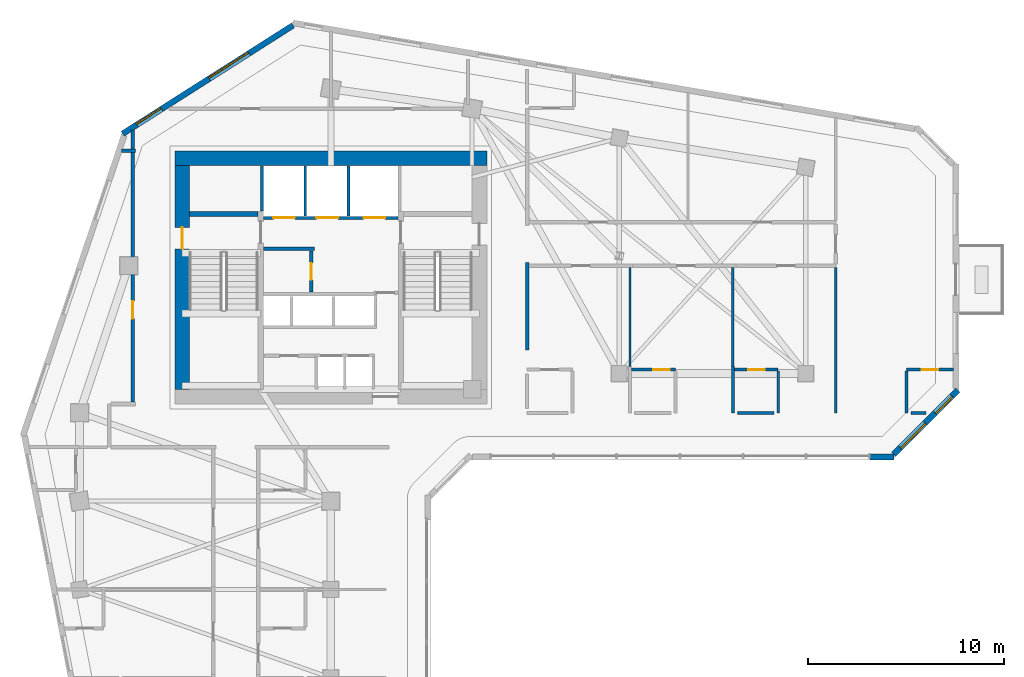
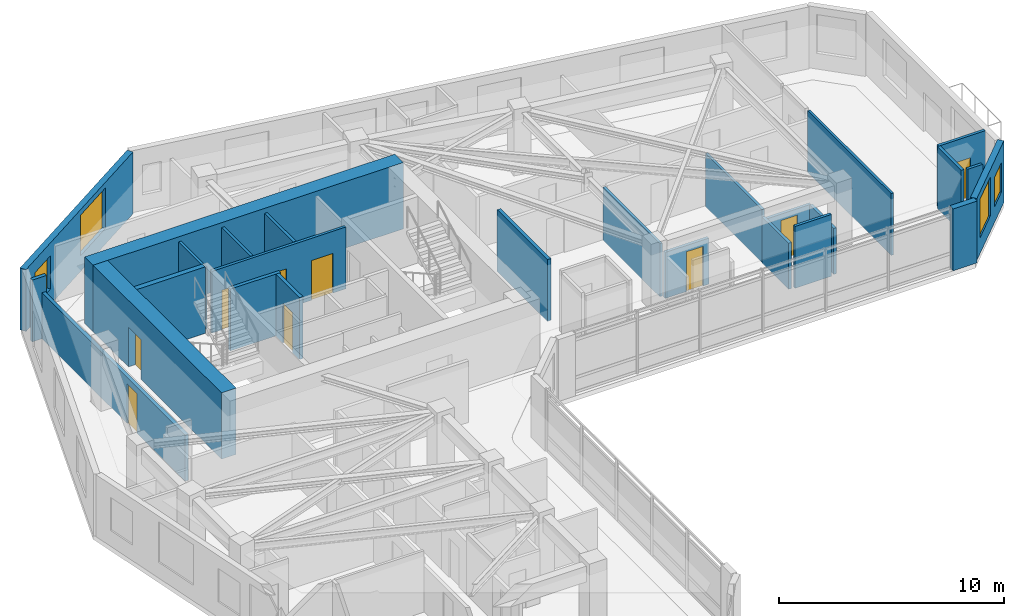
# One storey, part 7 of 14: 26 walls, 9 doors, 4 windows, 13 openings.
"""IFC4 building model written with IfcOpenShell, lengths in metres."""

from ifc_helpers import new_model, si_unit, direction, frame, frame_2d, origin, place, context, subcontext, project, spatial, rectangle, extrude, source, transform, mapped, material, layer, layer_set, type_object, element, fill, save


model = new_model("IFC4")

# Units and contexts
model_context = context("Model", 3, precision=1e-05, world=origin(), true_north=direction((0.0, 1.0)))
body_context = subcontext(model_context, "Body", "Model", "MODEL_VIEW")
ifc_project = project(units=[si_unit("LENGTHUNIT", "METRE"), si_unit("AREAUNIT", "SQUARE_METRE"), si_unit("VOLUMEUNIT", "CUBIC_METRE"), si_unit("PLANEANGLEUNIT", "RADIAN"), si_unit("MASSUNIT", "GRAM", prefix="KILO")], contexts=[model_context])

# Site, building, storey
site_placement = place(None, origin())
site = spatial("IfcSite", under=ifc_project, at=site_placement, CompositionType="ELEMENT")
building_placement = place(site_placement, origin())
building = spatial("IfcBuilding", under=site, at=building_placement, Name="Calvemar Wedge Station Tower", CompositionType="ELEMENT")
storey_placement = place(building_placement, frame((0.0, 0.0, 128.60009765625)))
storey = spatial("IfcBuildingStorey", under=building, at=storey_placement, Name="L31", CompositionType="ELEMENT", Elevation=128.60009765625)

# Walls
ifc_material_1 = material(Name="Concrete C50", Category="concrete")
ifc_layer_1 = layer(ifc_material_1, 0.260009765625)
ifc_layer_set_1 = layer_set([ifc_layer_1], Name="Concrete C50")
wall_type_1 = type_object("IfcWallType", Name="SW-CORE-260", PredefinedType="SHEAR", material=ifc_layer_set_1)
wall_1_placement = place(storey_placement, frame((16.60009765625, 43.1298828125, 0.0), z_axis=(0.0, 0.0, 1.0), x_axis=(1.0, 0.0, 0.0)))
element("IfcWall", 1, at=wall_1_placement, inside=storey, type_object=wall_type_1, Name="Storey L31 Core Shear Wall STC1-N", PredefinedType="SHEAR", context=body_context, shape_type="SweptSolid", body=[
    extrude(rectangle(XDim=3.5, YDim=0.260009765625, at=frame_2d((1.75, 0.0))), origin(), (0.0, 0.0, 1.0), 3.599853515625),
])
ifc_material_2 = material(Name="Concrete C70", Category="concrete")
ifc_layer_2 = layer(ifc_material_2, 0.75)
ifc_layer_set_2 = layer_set([ifc_layer_2], Name="Concrete C70")
wall_type_2 = type_object("IfcWallType", Name="SW-CORE-750", PredefinedType="SHEAR", material=ifc_layer_set_2)
wall_2_placement = place(storey_placement, frame((15.85009765625, 45.97509765625, 0.0), z_axis=(0.0, 0.0, 1.0), x_axis=(1.0, 0.0, 0.0)))
element("IfcWall", 2, at=wall_2_placement, inside=storey, type_object=wall_type_2, Name="Storey L31 Core Shear Wall N", PredefinedType="SHEAR", context=body_context, shape_type="SweptSolid", body=[
    extrude(rectangle(XDim=15.89990234375, YDim=0.75, at=frame_2d((7.949951171875, 0.0))), origin(), (0.0, 0.0, 1.0), 3.599853515625),
])

# Wall, opening, door
wall_3_placement = place(storey_placement, frame((16.22509765625, 34.199951171875, 0.0), z_axis=(0.0, 0.0, 1.0), x_axis=(0.0, 1.0, 0.0)))
wall_3 = element("IfcWall", 3, at=wall_3_placement, inside=storey, type_object=wall_type_2, Name="Storey L31 Core Shear Wall W", PredefinedType="SHEAR", context=body_context, shape_type="SweptSolid", body=[
    extrude(rectangle(XDim=11.400146484375, YDim=0.75, at=frame_2d((5.7001953125, 0.0))), origin(), (0.0, 0.0, 1.0), 3.599853515625),
])
shared_shape_1 = source(origin(), body_context, "Body", "SweptSolid", [
    extrude(rectangle(XDim=1.10009765625, YDim=2.14990234375, at=frame_2d((0.550048828125, 1.074951171875))), frame((0.0, 0.385009765625, 0.0), z_axis=(0.0, -1.0, 0.0), x_axis=(1.0, 0.0, 0.0)), (0.0, 0.0, 1.0), 0.77001953125),
])
opening_1_placement = place(wall_3_placement, frame((7.14990234375, 0.0, 0.0)))
opening_1 = element("IfcOpeningElement", 4, at=opening_1_placement, cuts=wall_3, Name="Opening FD-90", PredefinedType="OPENING", context=body_context, shape_type="MappedRepresentation", body=[
    mapped(shared_shape_1, transform((0.0, 0.0, 0.0), scale=1.0)),
])
ifc_material_3 = material(Name="Galvanized fire-rated steel door leaf P-90", Category="steel")
door_type_1 = type_object("IfcDoorType", Name="DR-FD90-1100", OperationType="NOTDEFINED", PredefinedType="DOOR", material=ifc_material_3)
shared_shape_2 = source(origin(), body_context, "Body", "SweptSolid", [
    extrude(rectangle(XDim=1.10009765625, YDim=2.14990234375, at=frame_2d((0.550048828125, 1.074951171875))), frame((0.0, 0.02490234375, 0.0), z_axis=(0.0, -1.0, 0.0), x_axis=(1.0, 0.0, 0.0)), (0.0, 0.0, 1.0), 0.050048828125),
])
door_1_placement = place(opening_1_placement, origin())
door_1 = element("IfcDoor", 5, at=door_1_placement, inside=storey, type_object=door_type_1, Name="L31 West Corridor to Exit Stair ST-C1 Door", OperationType="SINGLE_SWING_RIGHT", OverallHeight=2.14990234375, OverallWidth=1.10009765625, PredefinedType="DOOR", context=body_context, shape_type="MappedRepresentation", body=[
    mapped(shared_shape_2, transform((0.0, 0.0, 0.0), scale=1.0)),
])
fill(opening_1, door_1)

# Wall
ifc_material_4 = material(Name="Double-stud fire-rated corridor partition")
ifc_layer_3 = layer(ifc_material_4, 0.179931640625)
ifc_layer_set_3 = layer_set([ifc_layer_3], Name="Double-stud fire-rated corridor partition")
wall_type_3 = type_object("IfcWallType", Name="W-CORR-180", PredefinedType="PARTITIONING", material=ifc_layer_set_3)
wall_4_placement = place(storey_placement, frame((22.9599609375, 41.35009765625, 0.0), z_axis=(0.0, 0.0, 1.0), x_axis=(-1.0, 0.0, 0.0)))
element("IfcWall", 6, at=wall_4_placement, inside=storey, type_object=wall_type_3, Name="Storey L31 Interior Partition WL-L31-001", PredefinedType="PARTITIONING", context=body_context, shape_type="SweptSolid", body=[
    extrude(rectangle(XDim=2.580078125, YDim=0.179931640625, at=frame_2d((1.2900390625, 0.0))), origin(), (0.0, 0.0, 1.0), 3.349853515625),
])

# Wall, opening, door
wall_5_placement = place(storey_placement, frame((22.800048828125, 41.256103515625, 0.0), z_axis=(0.0, 0.0, 1.0), x_axis=(0.0, -1.0, 0.0)))
wall_5 = element("IfcWall", 7, at=wall_5_placement, inside=storey, type_object=wall_type_3, Name="Storey L31 Interior Partition WL-L31-002", PredefinedType="PARTITIONING", context=body_context, shape_type="SweptSolid", body=[
    extrude(rectangle(XDim=2.106201171875, YDim=0.179931640625, at=frame_2d((1.05322265625, 0.0))), origin(), (0.0, 0.0, 1.0), 3.349853515625),
])
shared_shape_3 = source(origin(), body_context, "Body", "SweptSolid", [
    extrude(rectangle(XDim=0.85009765625, YDim=2.14990234375, at=frame_2d((0.425048828125, 1.074951171875))), frame((0.0, 0.10009765625, 0.0), z_axis=(0.0, -1.0, 0.0), x_axis=(1.0, 0.0, 0.0)), (0.0, 0.0, 1.0), 0.199951171875),
])
opening_2_placement = place(wall_5_placement, frame((0.6279296875, 0.0, 0.0)))
opening_2 = element("IfcOpeningElement", 8, at=opening_2_placement, cuts=wall_5, Name="Opening FD-60S", PredefinedType="OPENING", context=body_context, shape_type="MappedRepresentation", body=[
    mapped(shared_shape_3, transform((0.0, 0.0, 0.0), scale=1.0)),
])
ifc_material_5 = material(Name="Fire-rated steel and hardwood service door EI 60", Category="steel")
door_type_2 = type_object("IfcDoorType", Name="DR-CORE-FD60-850", OperationType="NOTDEFINED", PredefinedType="DOOR", material=ifc_material_5)
shared_shape_4 = source(origin(), body_context, "Body", "SweptSolid", [
    extrude(rectangle(XDim=0.85009765625, YDim=2.14990234375, at=frame_2d((0.425048828125, 1.074951171875))), frame((0.0, 0.02490234375, 0.0), z_axis=(0.0, -1.0, 0.0), x_axis=(1.0, 0.0, 0.0)), (0.0, 0.0, 1.0), 0.050048828125),
])
door_2_placement = place(opening_2_placement, origin())
door_2 = element("IfcDoor", 9, at=door_2_placement, inside=storey, type_object=door_type_2, Name="L31 Core Electrical Switch Room Door", OperationType="SINGLE_SWING_RIGHT", OverallHeight=2.14990234375, OverallWidth=0.85009765625, PredefinedType="DOOR", context=body_context, shape_type="MappedRepresentation", body=[
    mapped(shared_shape_4, transform((0.0, 0.0, 0.0), scale=1.0)),
])
fill(opening_2, door_2)

wall_6_placement = place(storey_placement, frame((13.699951171875, 33.5439453125, 0.0), z_axis=(0.0, 0.0, 1.0), x_axis=(0.0, 1.0, 0.0)))
wall_6 = element("IfcWall", 10, at=wall_6_placement, inside=storey, type_object=wall_type_3, Name="Storey L31 Interior Partition WL-L31-010", PredefinedType="PARTITIONING", context=body_context, shape_type="SweptSolid", body=[
    extrude(rectangle(XDim=13.860107421875, YDim=0.179931640625, at=frame_2d((6.93017578125, 0.0))), origin(), (0.0, 0.0, 1.0), 2.491943359375),
])
shared_shape_5 = source(origin(), body_context, "Body", "SweptSolid", [
    extrude(rectangle(XDim=0.89990234375, YDim=2.14990234375, at=frame_2d((0.449951171875, 1.074951171875))), frame((0.0, 0.10009765625, 0.0), z_axis=(0.0, -1.0, 0.0), x_axis=(1.0, 0.0, 0.0)), (0.0, 0.0, 1.0), 0.199951171875),
])
opening_3_placement = place(wall_6_placement, frame((4.252685546875, 0.0, 0.0)))
opening_3 = element("IfcOpeningElement", 11, at=opening_3_placement, cuts=wall_6, Name="Opening D-01", PredefinedType="OPENING", context=body_context, shape_type="MappedRepresentation", body=[
    mapped(shared_shape_5, transform((0.0, 0.0, 0.0), scale=1.0)),
])
ifc_material_6 = material(Name="Architectural hardwood acoustic swing door", Category="wood")
door_type_3 = type_object("IfcDoorType", Name="DR-INT-900", OperationType="NOTDEFINED", PredefinedType="DOOR", material=ifc_material_6)
shared_shape_6 = source(origin(), body_context, "Body", "SweptSolid", [
    extrude(rectangle(XDim=0.89990234375, YDim=2.14990234375, at=frame_2d((0.449951171875, 1.074951171875))), frame((0.0, 0.02490234375, 0.0), z_axis=(0.0, -1.0, 0.0), x_axis=(1.0, 0.0, 0.0)), (0.0, 0.0, 1.0), 0.050048828125),
])
door_3_placement = place(opening_3_placement, origin())
door_3 = element("IfcDoor", 12, at=door_3_placement, inside=storey, type_object=door_type_3, Name="L31 Executive Lounge Door", OperationType="SINGLE_SWING_LEFT", OverallHeight=2.14990234375, OverallWidth=0.89990234375, PredefinedType="DOOR", context=body_context, shape_type="MappedRepresentation", body=[
    mapped(shared_shape_6, transform((0.0, 0.0, 0.0), scale=1.0)),
])
fill(opening_3, door_3)

# Walls
wall_7_placement = place(storey_placement, frame((13.860107421875, 46.35009765625, 0.0), z_axis=(0.0, 0.0, 1.0), x_axis=(-1.0, 0.0, 0.0)))
element("IfcWall", 13, at=wall_7_placement, inside=storey, type_object=wall_type_3, Name="Storey L31 Interior Partition WL-L31-011", PredefinedType="PARTITIONING", context=body_context, shape_type="SweptSolid", body=[
    extrude(rectangle(XDim=0.73486328125, YDim=0.179931640625, at=frame_2d((0.367431640625, 0.0))), origin(), (0.0, 0.0, 1.0), 3.349853515625),
])
wall_8_placement = place(storey_placement, frame((33.800048828125, 40.659912109375, 0.0), z_axis=(0.0, 0.0, 1.0), x_axis=(0.0, -1.0, 0.0)))
element("IfcWall", 14, at=wall_8_placement, inside=storey, type_object=wall_type_3, Name="Storey L31 Interior Partition WL-L31-015", PredefinedType="PARTITIONING", context=body_context, shape_type="SweptSolid", body=[
    extrude(rectangle(XDim=4.4599609375, YDim=0.179931640625, at=frame_2d((2.22998046875, 0.0))), origin(), (0.0, 0.0, 1.0), 3.349853515625),
])
ifc_material_7 = material(Name="Precast concrete C45", Category="concrete")
ifc_layer_4 = layer(ifc_material_7, 0.300048828125)
ifc_layer_set_4 = layer_set([ifc_layer_4], Name="Precast concrete C45")
wall_type_4 = type_object("IfcWallType", Name="W-EXT-GFRC-300", PredefinedType="SOLIDWALL", material=ifc_layer_set_4)
wall_9_placement = place(storey_placement, frame((51.260498046875, 30.741943359375, 0.0), z_axis=(0.0, 0.0, 1.0), x_axis=(1.0, 0.0, 0.0)))
element("IfcWall", 15, at=wall_9_placement, inside=storey, type_object=wall_type_4, Name="Storey L31 Bronze GFRC Corner Pier 6B", PredefinedType="SOLIDWALL", context=body_context, shape_type="SweptSolid", body=[
    extrude(rectangle(XDim=1.227294921875, YDim=0.300048828125, at=frame_2d((0.61376953125, 0.0))), origin(), (0.0, 0.0, 1.0), 3.349853515625),
])

# Wall, openings, windows
wall_10_placement = place(storey_placement, frame((52.475830078125, 30.8798828125, 0.0), z_axis=(0.0, 0.0, 1.0), x_axis=(0.707106781187, 0.707106781187, 0.0)))
wall_10 = element("IfcWall", 16, at=wall_10_placement, inside=storey, type_object=wall_type_4, Name="Storey L31 Bronze GFRC Exterior Wall 7", PredefinedType="SOLIDWALL", context=body_context, shape_type="SweptSolid", body=[
    extrude(rectangle(XDim=4.638916015625, YDim=0.300048828125, at=frame_2d((2.3193359375, 0.0))), origin(), (0.0, 0.0, 1.0), 3.349853515625),
])
shared_shape_7 = source(origin(), body_context, "Body", "SweptSolid", [
    extrude(rectangle(XDim=1.800048828125, YDim=2.10009765625, at=frame_2d((0.89990234375, 1.050048828125))), frame((0.0, 0.16015625, 0.0), z_axis=(0.0, -1.0, 0.0), x_axis=(1.0, 0.0, 0.0)), (0.0, 0.0, 1.0), 0.320068359375),
])
opening_4_placement = place(wall_10_placement, frame((0.48193359375, 0.0, 0.85009765625)))
opening_4 = element("IfcOpeningElement", 17, at=opening_4_placement, cuts=wall_10, Name="Opening W2", PredefinedType="OPENING", context=body_context, shape_type="MappedRepresentation", body=[
    mapped(shared_shape_7, transform((0.0, 0.0, 0.0), scale=1.0)),
])
shared_shape_8 = source(origin(), body_context, "Body", "SweptSolid", [
    extrude(rectangle(XDim=1.199951171875, YDim=1.60009765625, at=frame_2d((0.60009765625, 0.800048828125))), frame((0.0, 0.16015625, 0.0), z_axis=(0.0, -1.0, 0.0), x_axis=(1.0, 0.0, 0.0)), (0.0, 0.0, 1.0), 0.320068359375),
])
opening_5_placement = place(wall_10_placement, frame((3.0009765625, 0.0, 0.85009765625)))
opening_5 = element("IfcOpeningElement", 18, at=opening_5_placement, cuts=wall_10, Name="Opening W5", PredefinedType="OPENING", context=body_context, shape_type="MappedRepresentation", body=[
    mapped(shared_shape_8, transform((0.0, 0.0, 0.0), scale=1.0)),
])
ifc_material_8 = material(Name="Low-E laminated insulated glass", Category="glass")
window_type_1 = type_object("IfcWindowType", Name="WIN-EXT-2", PartitioningType="SINGLE_PANEL", PredefinedType="WINDOW", material=ifc_material_8)
shared_shape_9 = source(origin(), body_context, "Body", "SweptSolid", [
    extrude(rectangle(XDim=1.800048828125, YDim=2.10009765625, at=frame_2d((0.89990234375, 1.050048828125))), frame((0.0, -0.014892578125, 0.0), z_axis=(0.0, -1.0, 0.0), x_axis=(1.0, 0.0, 0.0)), (0.0, 0.0, 1.0), 0.06005859375),
])
window_1_placement = place(opening_4_placement, origin())
window_1 = element("IfcWindow", 19, at=window_1_placement, inside=storey, type_object=window_type_1, Name="Storey L31 Recessed Window 7.1", OverallHeight=2.10009765625, OverallWidth=1.800048828125, PartitioningType="SINGLE_PANEL", PredefinedType="WINDOW", context=body_context, shape_type="MappedRepresentation", body=[
    mapped(shared_shape_9, transform((0.0, 0.0, 0.0), scale=1.0)),
])
fill(opening_4, window_1)
window_type_2 = type_object("IfcWindowType", Name="WIN-EXT-5", PartitioningType="SINGLE_PANEL", PredefinedType="WINDOW", material=ifc_material_8)
shared_shape_10 = source(origin(), body_context, "Body", "SweptSolid", [
    extrude(rectangle(XDim=1.199951171875, YDim=1.60009765625, at=frame_2d((0.60009765625, 0.800048828125))), frame((0.0, -0.014892578125, 0.0), z_axis=(0.0, -1.0, 0.0), x_axis=(1.0, 0.0, 0.0)), (0.0, 0.0, 1.0), 0.06005859375),
])
window_2_placement = place(opening_5_placement, origin())
window_2 = element("IfcWindow", 20, at=window_2_placement, inside=storey, type_object=window_type_2, Name="Storey L31 Recessed Window 7.2", OverallHeight=1.60009765625, OverallWidth=1.199951171875, PartitioningType="SINGLE_PANEL", PredefinedType="WINDOW", context=body_context, shape_type="MappedRepresentation", body=[
    mapped(shared_shape_10, transform((0.0, 0.0, 0.0), scale=1.0)),
])
fill(opening_5, window_2)

wall_11_placement = place(storey_placement, frame((21.874755859375, 52.742431640625, 0.0), z_axis=(0.0, 0.0, 1.0), x_axis=(-0.843662465249, -0.536873956092, 0.0)))
wall_11 = element("IfcWall", 21, at=wall_11_placement, inside=storey, type_object=wall_type_4, Name="Storey L31 Bronze GFRC Exterior Wall 11", PredefinedType="SOLIDWALL", context=body_context, shape_type="SweptSolid", body=[
    extrude(rectangle(XDim=10.283935546875, YDim=0.300048828125, at=frame_2d((5.14208984375, 0.0))), origin(), (0.0, 0.0, 1.0), 3.349853515625),
])
shared_shape_11 = source(origin(), body_context, "Body", "SweptSolid", [
    extrude(rectangle(XDim=2.39990234375, YDim=2.199951171875, at=frame_2d((1.199951171875, 1.10009765625))), frame((0.0, 0.16015625, 0.0), z_axis=(0.0, -1.0, 0.0), x_axis=(1.0, 0.0, 0.0)), (0.0, 0.0, 1.0), 0.320068359375),
])
opening_6_placement = place(wall_11_placement, frame((2.656005859375, 0.0, 0.85009765625)))
opening_6 = element("IfcOpeningElement", 22, at=opening_6_placement, cuts=wall_11, Name="Opening W1", PredefinedType="OPENING", context=body_context, shape_type="MappedRepresentation", body=[
    mapped(shared_shape_11, transform((0.0, 0.0, 0.0), scale=1.0)),
])
shared_shape_12 = source(origin(), body_context, "Body", "SweptSolid", [
    extrude(rectangle(XDim=1.5, YDim=1.800048828125, at=frame_2d((0.75, 0.89990234375))), frame((0.0, 0.16015625, 0.0), z_axis=(0.0, -1.0, 0.0), x_axis=(1.0, 0.0, 0.0)), (0.0, 0.0, 1.0), 0.320068359375),
])
opening_7_placement = place(wall_11_placement, frame((7.93701171875, 0.0, 0.85009765625)))
opening_7 = element("IfcOpeningElement", 23, at=opening_7_placement, cuts=wall_11, Name="Opening W3", PredefinedType="OPENING", context=body_context, shape_type="MappedRepresentation", body=[
    mapped(shared_shape_12, transform((0.0, 0.0, 0.0), scale=1.0)),
])
window_type_3 = type_object("IfcWindowType", Name="WIN-EXT-1", PartitioningType="SINGLE_PANEL", PredefinedType="WINDOW", material=ifc_material_8)
shared_shape_13 = source(origin(), body_context, "Body", "SweptSolid", [
    extrude(rectangle(XDim=2.39990234375, YDim=2.199951171875, at=frame_2d((1.199951171875, 1.10009765625))), frame((0.0, -0.014892578125, 0.0), z_axis=(0.0, -1.0, 0.0), x_axis=(1.0, 0.0, 0.0)), (0.0, 0.0, 1.0), 0.06005859375),
])
window_3_placement = place(opening_6_placement, origin())
window_3 = element("IfcWindow", 24, at=window_3_placement, inside=storey, type_object=window_type_3, Name="Storey L31 Recessed Window 11.1", OverallHeight=2.199951171875, OverallWidth=2.39990234375, PartitioningType="SINGLE_PANEL", PredefinedType="WINDOW", context=body_context, shape_type="MappedRepresentation", body=[
    mapped(shared_shape_13, transform((0.0, 0.0, 0.0), scale=1.0)),
])
fill(opening_6, window_3)
window_type_4 = type_object("IfcWindowType", Name="WIN-EXT-3", PartitioningType="SINGLE_PANEL", PredefinedType="WINDOW", material=ifc_material_8)
shared_shape_14 = source(origin(), body_context, "Body", "SweptSolid", [
    extrude(rectangle(XDim=1.5, YDim=1.800048828125, at=frame_2d((0.75, 0.89990234375))), frame((0.0, -0.014892578125, 0.0), z_axis=(0.0, -1.0, 0.0), x_axis=(1.0, 0.0, 0.0)), (0.0, 0.0, 1.0), 0.06005859375),
])
window_4_placement = place(opening_7_placement, origin())
window_4 = element("IfcWindow", 25, at=window_4_placement, inside=storey, type_object=window_type_4, Name="Storey L31 Recessed Window 11.2", OverallHeight=1.800048828125, OverallWidth=1.5, PartitioningType="SINGLE_PANEL", PredefinedType="WINDOW", context=body_context, shape_type="MappedRepresentation", body=[
    mapped(shared_shape_14, transform((0.0, 0.0, 0.0), scale=1.0)),
])
fill(opening_7, window_4)

# Wall, openings, doors
ifc_material_9 = material(Name="Reinforced concrete blockwork lift shaft wall", Category="masonry")
ifc_layer_5 = layer(ifc_material_9, 0.139892578125)
ifc_layer_set_5 = layer_set([ifc_layer_5], Name="Reinforced concrete blockwork lift shaft wall")
wall_type_5 = type_object("IfcWallType", Name="W-LIFT-160", PredefinedType="SOLIDWALL", material=ifc_layer_set_5)
wall_12_placement = place(storey_placement, frame((20.3701171875, 42.929931640625, 0.0), z_axis=(0.0, 0.0, 1.0), x_axis=(1.0, 0.0, 0.0)))
wall_12 = element("IfcWall", 26, at=wall_12_placement, inside=storey, type_object=wall_type_5, Name="Storey L31 Firefighting and Service Lift Shaft Front Wall", PredefinedType="SOLIDWALL", context=body_context, shape_type="SweptSolid", body=[
    extrude(rectangle(XDim=6.85986328125, YDim=0.139892578125, at=frame_2d((3.429931640625, 0.0))), origin(), (0.0, 0.0, 1.0), 3.349853515625),
])
shared_shape_15 = source(origin(), body_context, "Body", "SweptSolid", [
    extrude(rectangle(XDim=1.10009765625, YDim=2.14990234375, at=frame_2d((0.550048828125, 1.074951171875))), frame((0.0, 0.080078125, 0.0), z_axis=(0.0, -1.0, 0.0), x_axis=(1.0, 0.0, 0.0)), (0.0, 0.0, 1.0), 0.159912109375),
])
opening_8_placement = place(wall_12_placement, frame((0.5, 0.0, 0.0)))
opening_8 = element("IfcOpeningElement", 27, at=opening_8_placement, cuts=wall_12, Name="Opening LD-FF", PredefinedType="OPENING", context=body_context, shape_type="MappedRepresentation", body=[
    mapped(shared_shape_15, transform((0.0, 0.0, 0.0), scale=1.0)),
])
opening_9_placement = place(wall_12_placement, frame((2.699951171875, 0.0, 0.0)))
opening_9 = element("IfcOpeningElement", 28, at=opening_9_placement, cuts=wall_12, Name="Opening LD-FF", PredefinedType="OPENING", context=body_context, shape_type="MappedRepresentation", body=[
    mapped(shared_shape_15, transform((0.0, 0.0, 0.0), scale=1.0)),
])
opening_10_placement = place(wall_12_placement, frame((5.10009765625, 0.0, 0.0)))
opening_10 = element("IfcOpeningElement", 29, at=opening_10_placement, cuts=wall_12, Name="Opening LD-STN", PredefinedType="OPENING", context=body_context, shape_type="MappedRepresentation", body=[
    mapped(shared_shape_15, transform((0.0, 0.0, 0.0), scale=1.0)),
])
ifc_material_10 = material(Name="Stainless steel firefighting lift sliding landing door", Category="steel")
door_type_4 = type_object("IfcDoorType", Name="DR-LD-FF-1100", OperationType="SLIDING_TO_LEFT", PredefinedType="DOOR", material=ifc_material_10)
shared_shape_16 = source(origin(), body_context, "Body", "SweptSolid", [
    extrude(rectangle(XDim=1.10009765625, YDim=2.14990234375, at=frame_2d((0.550048828125, 1.074951171875))), frame((0.0, 0.02490234375, 0.0), z_axis=(0.0, -1.0, 0.0), x_axis=(1.0, 0.0, 0.0)), (0.0, 0.0, 1.0), 0.050048828125),
])
door_4_placement = place(opening_8_placement, origin())
door_4 = element("IfcDoor", 30, at=door_4_placement, inside=storey, type_object=door_type_4, Name="L31 Lift FF-01 Sliding Landing Door", OperationType="SLIDING_TO_LEFT", OverallHeight=2.14990234375, OverallWidth=1.10009765625, PredefinedType="DOOR", context=body_context, shape_type="MappedRepresentation", body=[
    mapped(shared_shape_16, transform((0.0, 0.0, 0.0), scale=1.0)),
])
fill(opening_8, door_4)
door_5_placement = place(opening_9_placement, origin())
door_5 = element("IfcDoor", 31, at=door_5_placement, inside=storey, type_object=door_type_4, Name="L31 Lift FF-02 Sliding Landing Door", OperationType="SLIDING_TO_RIGHT", OverallHeight=2.14990234375, OverallWidth=1.10009765625, PredefinedType="DOOR", context=body_context, shape_type="MappedRepresentation", body=[
    mapped(shared_shape_16, transform((0.0, 0.0, 0.0), scale=1.0)),
])
fill(opening_9, door_5)
ifc_material_11 = material(Name="Stainless steel transit lift sliding landing door", Category="steel")
door_type_5 = type_object("IfcDoorType", Name="DR-LD-PAX-1100", OperationType="SLIDING_TO_LEFT", PredefinedType="DOOR", material=ifc_material_11)
shared_shape_17 = source(origin(), body_context, "Body", "SweptSolid", [
    extrude(rectangle(XDim=1.10009765625, YDim=2.14990234375, at=frame_2d((0.550048828125, 1.074951171875))), frame((0.0, 0.02490234375, 0.0), z_axis=(0.0, -1.0, 0.0), x_axis=(1.0, 0.0, 0.0)), (0.0, 0.0, 1.0), 0.050048828125),
])
door_6_placement = place(opening_10_placement, origin())
door_6 = element("IfcDoor", 32, at=door_6_placement, inside=storey, type_object=door_type_5, Name="L31 Lift SV-01 Sliding Landing Door", OperationType="SLIDING_TO_LEFT", OverallHeight=2.14990234375, OverallWidth=1.10009765625, PredefinedType="DOOR", context=body_context, shape_type="MappedRepresentation", body=[
    mapped(shared_shape_17, transform((0.0, 0.0, 0.0), scale=1.0)),
])
fill(opening_10, door_6)

# Walls
wall_13_placement = place(storey_placement, frame((20.2900390625, 43.280029296875, 0.0), z_axis=(0.0, 0.0, 1.0), x_axis=(0.0, 1.0, 0.0)))
element("IfcWall", 33, at=wall_13_placement, inside=storey, type_object=wall_type_5, Name="Storey L31 Firefighting Lift Shaft Enclosure Wall W", PredefinedType="SOLIDWALL", context=body_context, shape_type="SweptSolid", body=[
    extrude(rectangle(XDim=2.300048828125, YDim=0.139892578125, at=frame_2d((1.14990234375, 0.0))), origin(), (0.0, 0.0, 1.0), 3.349853515625),
])
for number, where, z_axis, x_axis, name in (
    (34, (22.5, 43.02001953125, 0.0), (0.0, 0.0, 1.0), (0.0, 1.0, 0.0), "Storey L31 Firefighting Lift Shaft Enclosure Wall D1"),
    (35, (24.699951171875, 43.02001953125, 0.0), (0.0, 0.0, 1.0), (0.0, 1.0, 0.0), "Storey L31 Firefighting Lift Shaft Enclosure Wall D2"),
):
    element("IfcWall", number, at=place(storey_placement, frame(where, z_axis=z_axis, x_axis=x_axis)), inside=storey, type_object=wall_type_5, Name=name, PredefinedType="SOLIDWALL", context=body_context, shape_type="SweptSolid", body=[
        extrude(rectangle(XDim=2.56005859375, YDim=0.139892578125, at=frame_2d((1.280029296875, 0.0))), origin(), (0.0, 0.0, 1.0), 3.349853515625),
    ])
ifc_material_12 = material(Name="Insulated acoustic gypsum stud partition")
ifc_layer_6 = layer(ifc_material_12, 0.125)
ifc_layer_set_6 = layer_set([ifc_layer_6], Name="Insulated acoustic gypsum stud partition")
wall_type_6 = type_object("IfcWallType", Name="W-PART-125", PredefinedType="PARTITIONING", material=ifc_layer_set_6)
for number, where, z_axis, x_axis, name in (
    (36, (39.044921875, 40.406005859375, 0.0), (0.0, 0.0, 1.0), (0.0, -1.0, 0.0), "Storey L31 Interior Partition WL-L31-029"),
    (37, (44.2900390625, 40.406005859375, 0.0), (0.0, 0.0, 1.0), (0.0, -1.0, 0.0), "Storey L31 Interior Partition WL-L31-033"),
):
    element("IfcWall", number, at=place(storey_placement, frame(where, z_axis=z_axis, x_axis=x_axis)), inside=storey, type_object=wall_type_6, Name=name, PredefinedType="PARTITIONING", context=body_context, shape_type="SweptSolid", body=[
        extrude(rectangle(XDim=5.0439453125, YDim=0.125, at=frame_2d((2.52197265625, 0.0))), origin(), (0.0, 0.0, 1.0), 2.87890625),
    ])
wall_14_placement = place(storey_placement, frame((49.534912109375, 40.406005859375, 0.0), z_axis=(0.0, 0.0, 1.0), x_axis=(0.0, -1.0, 0.0)))
element("IfcWall", 38, at=wall_14_placement, inside=storey, type_object=wall_type_6, Name="Storey L31 Interior Partition WL-L31-036", PredefinedType="PARTITIONING", context=body_context, shape_type="SweptSolid", body=[
    extrude(rectangle(XDim=7.406005859375, YDim=0.125, at=frame_2d((3.703125, 0.0))), origin(), (0.0, 0.0, 1.0), 3.349853515625),
])

# Wall, opening, door
ifc_material_13 = material(Name="Moisture-resistant acoustic bathroom partition")
ifc_layer_7 = layer(ifc_material_13, 0.14990234375)
ifc_layer_set_7 = layer_set([ifc_layer_7], Name="Moisture-resistant acoustic bathroom partition")
wall_type_7 = type_object("IfcWallType", Name="W-WET-150", PredefinedType="PARTITIONING", material=ifc_layer_set_7)
wall_15_placement = place(storey_placement, frame((39.1240234375, 35.199951171875, 0.0), z_axis=(0.0, 0.0, 1.0), x_axis=(1.0, 0.0, 0.0)))
wall_15 = element("IfcWall", 39, at=wall_15_placement, inside=storey, type_object=wall_type_7, Name="Storey L31 Interior Partition WL-L31-030", PredefinedType="PARTITIONING", context=body_context, shape_type="SweptSolid", body=[
    extrude(rectangle(XDim=2.22900390625, YDim=0.14990234375, at=frame_2d((1.114501953125, 0.0))), origin(), (0.0, 0.0, 1.0), 2.491943359375),
])
shared_shape_18 = source(origin(), body_context, "Body", "SweptSolid", [
    extrude(rectangle(XDim=0.85009765625, YDim=2.14990234375, at=frame_2d((0.425048828125, 1.074951171875))), frame((0.0, 0.0849609375, 0.0), z_axis=(0.0, -1.0, 0.0), x_axis=(1.0, 0.0, 0.0)), (0.0, 0.0, 1.0), 0.169921875),
])
opening_11_placement = place(wall_15_placement, frame((1.09912109375, 0.0, 0.0)))
opening_11 = element("IfcOpeningElement", 40, at=opening_11_placement, cuts=wall_15, Name="Opening D-02", PredefinedType="OPENING", context=body_context, shape_type="MappedRepresentation", body=[
    mapped(shared_shape_18, transform((0.0, 0.0, 0.0), scale=1.0)),
])
ifc_material_14 = material(Name="Moisture-sealed bathroom hardwood swing door", Category="wood")
door_type_6 = type_object("IfcDoorType", Name="DR-WET-850", OperationType="NOTDEFINED", PredefinedType="DOOR", material=ifc_material_14)
shared_shape_19 = source(origin(), body_context, "Body", "SweptSolid", [
    extrude(rectangle(XDim=0.85009765625, YDim=2.14990234375, at=frame_2d((0.425048828125, 1.074951171875))), frame((0.0, 0.02490234375, 0.0), z_axis=(0.0, -1.0, 0.0), x_axis=(1.0, 0.0, 0.0)), (0.0, 0.0, 1.0), 0.050048828125),
])
door_7_placement = place(opening_11_placement, origin())
door_7 = element("IfcDoor", 41, at=door_7_placement, inside=storey, type_object=door_type_6, Name="L31 En-Suite Bathroom Door", OperationType="SINGLE_SWING_RIGHT", OverallHeight=2.14990234375, OverallWidth=0.85009765625, PredefinedType="DOOR", context=body_context, shape_type="MappedRepresentation", body=[
    mapped(shared_shape_19, transform((0.0, 0.0, 0.0), scale=1.0)),
])
fill(opening_11, door_7)

# Wall
wall_16_placement = place(storey_placement, frame((44.2900390625, 35.360107421875, 0.0), z_axis=(0.0, 0.0, 1.0), x_axis=(0.0, -1.0, 0.0)))
element("IfcWall", 42, at=wall_16_placement, inside=storey, type_object=wall_type_7, Name="Storey L31 Interior Partition WL-L31-032", PredefinedType="PARTITIONING", context=body_context, shape_type="SweptSolid", body=[
    extrude(rectangle(XDim=2.360107421875, YDim=0.14990234375, at=frame_2d((1.18017578125, 0.0))), origin(), (0.0, 0.0, 1.0), 2.491943359375),
])

# Wall, opening, door
wall_17_placement = place(storey_placement, frame((44.368896484375, 35.199951171875, 0.0), z_axis=(0.0, 0.0, 1.0), x_axis=(1.0, 0.0, 0.0)))
wall_17 = element("IfcWall", 43, at=wall_17_placement, inside=storey, type_object=wall_type_7, Name="Storey L31 Interior Partition WL-L31-034", PredefinedType="PARTITIONING", context=body_context, shape_type="SweptSolid", body=[
    extrude(rectangle(XDim=2.22900390625, YDim=0.14990234375, at=frame_2d((1.114501953125, 0.0))), origin(), (0.0, 0.0, 1.0), 2.491943359375),
])
opening_12_placement = place(wall_17_placement, frame((0.689453125, 0.0, 0.0)))
opening_12 = element("IfcOpeningElement", 44, at=opening_12_placement, cuts=wall_17, Name="Opening D-02", PredefinedType="OPENING", context=body_context, shape_type="MappedRepresentation", body=[
    mapped(shared_shape_18, transform((0.0, 0.0, 0.0), scale=1.0)),
])
door_8_placement = place(opening_12_placement, origin())
door_8 = element("IfcDoor", 45, at=door_8_placement, inside=storey, type_object=door_type_6, Name="L31 En-Suite Bathroom Door", OperationType="SINGLE_SWING_RIGHT", OverallHeight=2.14990234375, OverallWidth=0.85009765625, PredefinedType="DOOR", context=body_context, shape_type="MappedRepresentation", body=[
    mapped(shared_shape_19, transform((0.0, 0.0, 0.0), scale=1.0)),
])
fill(opening_12, door_8)

# Wall
wall_18_placement = place(storey_placement, frame((46.597900390625, 35.12109375, 0.0), z_axis=(0.0, 0.0, 1.0), x_axis=(0.0, -1.0, 0.0)))
element("IfcWall", 46, at=wall_18_placement, inside=storey, type_object=wall_type_7, Name="Storey L31 Interior Partition WL-L31-035", PredefinedType="PARTITIONING", context=body_context, shape_type="SweptSolid", body=[
    extrude(rectangle(XDim=2.12109375, YDim=0.14990234375, at=frame_2d((1.060546875, 0.0))), origin(), (0.0, 0.0, 1.0), 2.491943359375),
])

# Wall, opening, door
wall_19_placement = place(storey_placement, frame((53.135009765625, 35.199951171875, 0.0), z_axis=(0.0, 0.0, 1.0), x_axis=(1.0, 0.0, 0.0)))
wall_19 = element("IfcWall", 47, at=wall_19_placement, inside=storey, type_object=wall_type_7, Name="Storey L31 Interior Partition WL-L31-041", PredefinedType="PARTITIONING", context=body_context, shape_type="SweptSolid", body=[
    extrude(rectangle(XDim=2.39990234375, YDim=0.14990234375, at=frame_2d((1.199951171875, 0.0))), origin(), (0.0, 0.0, 1.0), 3.349853515625),
])
opening_13_placement = place(wall_19_placement, frame((0.77490234375, 0.0, 0.0)))
opening_13 = element("IfcOpeningElement", 48, at=opening_13_placement, cuts=wall_19, Name="Opening D-02", PredefinedType="OPENING", context=body_context, shape_type="MappedRepresentation", body=[
    mapped(shared_shape_18, transform((0.0, 0.0, 0.0), scale=1.0)),
])
door_9_placement = place(opening_13_placement, origin())
door_9 = element("IfcDoor", 49, at=door_9_placement, inside=storey, type_object=door_type_6, Name="L31 En-Suite Bathroom Door", OperationType="SINGLE_SWING_LEFT", OverallHeight=2.14990234375, OverallWidth=0.85009765625, PredefinedType="DOOR", context=body_context, shape_type="MappedRepresentation", body=[
    mapped(shared_shape_19, transform((0.0, 0.0, 0.0), scale=1.0)),
])
fill(opening_13, door_9)

# Walls
wall_20_placement = place(storey_placement, frame((53.135009765625, 33.0, 0.0), z_axis=(0.0, 0.0, 1.0), x_axis=(0.0, 1.0, 0.0)))
element("IfcWall", 50, at=wall_20_placement, inside=storey, type_object=wall_type_7, Name="Storey L31 Interior Partition WL-L31-042", PredefinedType="PARTITIONING", context=body_context, shape_type="SweptSolid", body=[
    extrude(rectangle(XDim=2.12109375, YDim=0.14990234375, at=frame_2d((1.060546875, 0.0))), origin(), (0.0, 0.0, 1.0), 3.349853515625),
])
wall_21_placement = place(storey_placement, frame((46.3779296875, 33.0, 0.0), z_axis=(0.0, 0.0, 1.0), x_axis=(-1.0, 0.0, 0.0)))
element("IfcWall", 51, at=wall_21_placement, inside=storey, type_object=wall_type_7, Name="Storey L31 Bathroom Enclosure Wall WL-L31-076", PredefinedType="PARTITIONING", context=body_context, shape_type="SweptSolid", body=[
    extrude(rectangle(XDim=1.867919921875, YDim=0.14990234375, at=frame_2d((0.93408203125, 0.0))), origin(), (0.0, 0.0, 1.0), 3.349853515625),
])
wall_22_placement = place(storey_placement, frame((54.1220703125, 33.0, 0.0), z_axis=(0.0, 0.0, 1.0), x_axis=(-1.0, 0.0, 0.0)))
element("IfcWall", 52, at=wall_22_placement, inside=storey, type_object=wall_type_7, Name="Storey L31 Bathroom Enclosure Wall WL-L31-078", PredefinedType="PARTITIONING", context=body_context, shape_type="SweptSolid", body=[
    extrude(rectangle(XDim=0.76708984375, YDim=0.14990234375, at=frame_2d((0.383544921875, 0.0))), origin(), (0.0, 0.0, 1.0), 3.349853515625),
])

save(model, "model.ifc")
